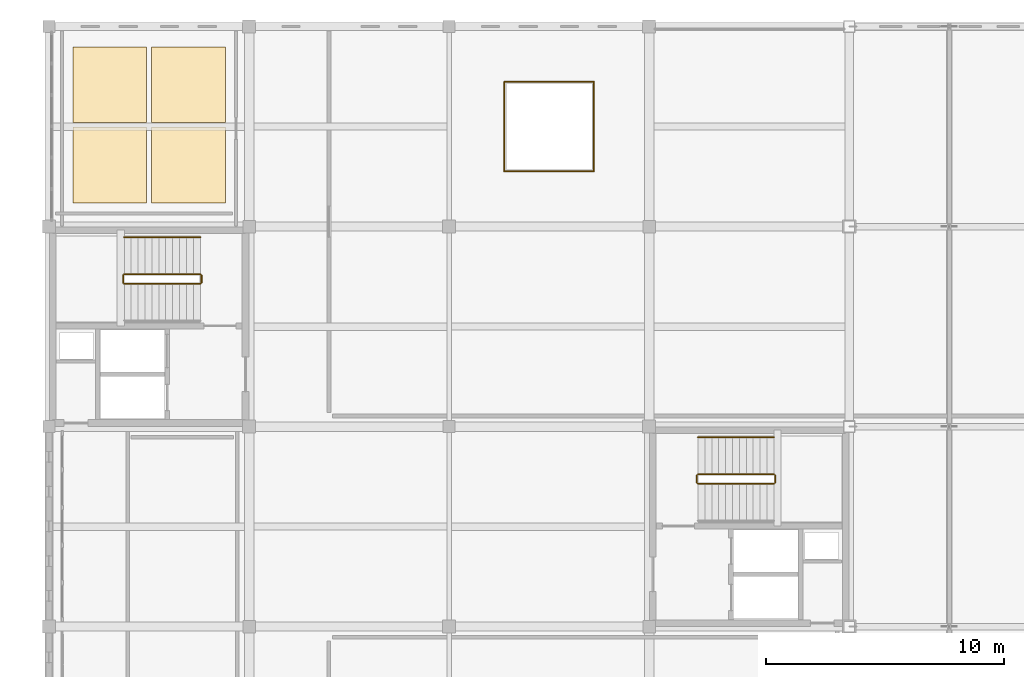
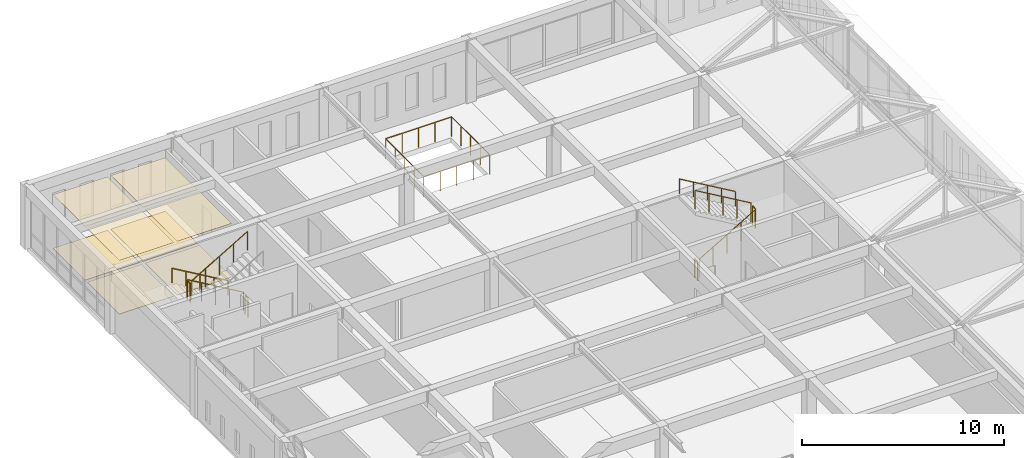
# One storey, part 36 of 36: 14 railings, 8 coverings.
"""IFC4 building model written with IfcOpenShell, lengths in metres."""

from ifc_helpers import new_model, si_unit, direction, frame, origin, origin_2d, place, context, subcontext, project, spatial, rectangle, circle, extrude, material, layer, layer_set, type_object, element, save


model = new_model("IFC4")

# Units and contexts
model_context = context("Model", 3, precision=1e-05, world=origin(), true_north=direction((0.0, 1.0)))
body_context = subcontext(model_context, "Body", "Model", "MODEL_VIEW")
ifc_project = project(units=[si_unit("LENGTHUNIT", "METRE"), si_unit("AREAUNIT", "SQUARE_METRE"), si_unit("VOLUMEUNIT", "CUBIC_METRE"), si_unit("PLANEANGLEUNIT", "RADIAN"), si_unit("MASSUNIT", "GRAM", prefix="KILO")], contexts=[model_context])

# Site, building, storey
site_placement = place(None, origin())
site = spatial("IfcSite", under=ifc_project, at=site_placement, CompositionType="ELEMENT")
building_placement = place(site_placement, origin())
building = spatial("IfcBuilding", under=site, at=building_placement, Name="Kveldsbrygga Polytechnic", CompositionType="ELEMENT")
storey_placement = place(building_placement, frame((0.0, 0.0, 22.10009765625)))
storey = spatial("IfcBuildingStorey", under=building, at=storey_placement, Name="L05", CompositionType="ELEMENT", Elevation=22.10009765625)

# Coverings
ifc_material_1 = material(Name="Gypsum acoustic ceiling")
ifc_layer_1 = layer(ifc_material_1, 0.02001953125)
ifc_layer_set_1 = layer_set([ifc_layer_1], Name="Gypsum acoustic ceiling")
covering_type_1 = type_object("IfcCoveringType", Name="COV-CEIL-GY20", PredefinedType="CEILING", material=ifc_layer_set_1)
for number, where, z_axis, x_axis, name in (
    (1, (128.550048828125, 94.987548828125, 3.239990234375), (0.0, 0.0, 1.0), (1.0, 0.0, 0.0), "Acoustic Ceiling SP-L05-WC1-WS"),
    (2, (128.550048828125, 98.362548828125, 3.239990234375), (0.0, 0.0, 1.0), (1.0, 0.0, 0.0), "Acoustic Ceiling SP-L05-WC1-WN"),
    (3, (131.85009765625, 94.987548828125, 3.239990234375), (0.0, 0.0, 1.0), (1.0, 0.0, 0.0), "Acoustic Ceiling SP-L05-WC1-ES"),
    (4, (131.85009765625, 98.362548828125, 3.239990234375), (0.0, 0.0, 1.0), (1.0, 0.0, 0.0), "Acoustic Ceiling SP-L05-WC1-EN"),
):
    element("IfcCovering", number, at=place(storey_placement, frame(where, z_axis=z_axis, x_axis=x_axis)), inside=storey, type_object=covering_type_1, Name=name, PredefinedType="CEILING", context=body_context, shape_type="SweptSolid", body=[
        extrude(rectangle(XDim=3.10009765625, YDim=3.175048828125, at=origin_2d()), origin(), (0.0, 0.0, 1.0), 0.02001953125),
    ])
ifc_material_2 = material(Name="Iddefjord granite honed paving", Category="masonry")
ifc_layer_2 = layer(ifc_material_2, 0.02490234375)
ifc_layer_set_2 = layer_set([ifc_layer_2], Name="Iddefjord granite honed paving")
covering_type_2 = type_object("IfcCoveringType", Name="COV-FLR-GRN25", PredefinedType="FLOORING", material=ifc_layer_set_2)
for number, where, z_axis, x_axis, name in (
    (5, (128.550048828125, 94.987548828125, 0.0), (0.0, 0.0, 1.0), (1.0, 0.0, 0.0), "Room Flooring SP-L05-WC1-WS"),
    (6, (128.550048828125, 98.362548828125, 0.0), (0.0, 0.0, 1.0), (1.0, 0.0, 0.0), "Room Flooring SP-L05-WC1-WN"),
    (7, (131.85009765625, 94.987548828125, 0.0), (0.0, 0.0, 1.0), (1.0, 0.0, 0.0), "Room Flooring SP-L05-WC1-ES"),
    (8, (131.85009765625, 98.362548828125, 0.0), (0.0, 0.0, 1.0), (1.0, 0.0, 0.0), "Room Flooring SP-L05-WC1-EN"),
):
    element("IfcCovering", number, at=place(storey_placement, frame(where, z_axis=z_axis, x_axis=x_axis)), inside=storey, type_object=covering_type_2, Name=name, PredefinedType="FLOORING", context=body_context, shape_type="SweptSolid", body=[
        extrude(rectangle(XDim=3.10009765625, YDim=3.175048828125, at=origin_2d()), origin(), (0.0, 0.0, 1.0), 0.02490234375),
    ])

# Railings
ifc_material_3 = material(Name="Steel S355", Category="steel")
railing_type_1 = type_object("IfcRailingType", Name="RL-STAIR-GRD", PredefinedType="GUARDRAIL", material=ifc_material_3)
railing_1_placement = place(storey_placement, frame((132.35009765625, 90.39990234375, 0.169921875)))
element("IfcRailing", 9, at=railing_1_placement, inside=storey, type_object=railing_type_1, Name="L05 ST-2 stair guard 1", PredefinedType="GUARDRAIL", context=body_context, shape_type="SweptSolid", body=[
    extrude(circle(Radius=0.02392578125, at=origin_2d()), frame((0.0, 0.0, 1.1259765625), z_axis=(-0.862725780356, 0.0, 0.505672055693), x_axis=(0.0, -1.0, 0.0)), (0.0, 0.0, 1.0), 3.69775390625),
    extrude(circle(Radius=0.02099609375, at=origin_2d()), origin(), (0.0, 0.0, 1.0), 1.097900390625),
    extrude(circle(Radius=0.02099609375, at=origin_2d()), frame((-0.797607421875, 0.0, 0.467529296875)), (0.0, 0.0, 1.0), 1.097900390625),
    extrude(circle(Radius=0.02099609375, at=origin_2d()), frame((-1.59521484375, 0.0, 0.93505859375)), (0.0, 0.0, 1.0), 1.097900390625),
    extrude(circle(Radius=0.02099609375, at=origin_2d()), frame((-2.392578125, 0.0, 1.40234375)), (0.0, 0.0, 1.0), 1.097900390625),
    extrude(circle(Radius=0.02099609375, at=origin_2d()), frame((-3.190185546875, 0.0, 1.869873046875)), (0.0, 0.0, 1.0), 1.097900390625),
])
railing_2_placement = place(storey_placement, frame((129.110107421875, 90.35009765625, 2.039794921875)))
element("IfcRailing", 10, at=railing_2_placement, inside=storey, type_object=railing_type_1, Name="L05 ST-2 stair guard 2", PredefinedType="GUARDRAIL", context=body_context, shape_type="SweptSolid", body=[
    extrude(circle(Radius=0.02392578125, at=origin_2d()), frame((0.0, 0.0, 1.1259765625), z_axis=(0.0, -1.0, 0.0), x_axis=(1.0, 0.0, 0.0)), (0.0, 0.0, 1.0), 0.300048828125),
    extrude(circle(Radius=0.02099609375, at=origin_2d()), origin(), (0.0, 0.0, 1.0), 1.097900390625),
    extrude(circle(Radius=0.02099609375, at=origin_2d()), frame((0.0, -0.300048828125, 0.0)), (0.0, 0.0, 1.0), 1.097900390625),
])
railing_3_placement = place(storey_placement, frame((129.159912109375, 90.0, 2.2099609375)))
element("IfcRailing", 11, at=railing_3_placement, inside=storey, type_object=railing_type_1, Name="L05 ST-2 stair guard 3", PredefinedType="GUARDRAIL", context=body_context, shape_type="SweptSolid", body=[
    extrude(circle(Radius=0.02392578125, at=origin_2d()), frame((0.0, 0.0, 1.1259765625), z_axis=(0.862725780356, 0.0, 0.505672055693), x_axis=(0.0, 1.0, 0.0)), (0.0, 0.0, 1.0), 3.69775390625),
    extrude(circle(Radius=0.02099609375, at=origin_2d()), origin(), (0.0, 0.0, 1.0), 1.097900390625),
    extrude(circle(Radius=0.02099609375, at=origin_2d()), frame((0.797607421875, 0.0, 0.467529296875)), (0.0, 0.0, 1.0), 1.097900390625),
    extrude(circle(Radius=0.02099609375, at=origin_2d()), frame((1.59521484375, 0.0, 0.93505859375)), (0.0, 0.0, 1.0), 1.097900390625),
    extrude(circle(Radius=0.02099609375, at=origin_2d()), frame((2.392578125, 0.0, 1.40234375)), (0.0, 0.0, 1.0), 1.097900390625),
    extrude(circle(Radius=0.02099609375, at=origin_2d()), frame((3.190185546875, 0.0, 1.869873046875)), (0.0, 0.0, 1.0), 1.097900390625),
])
railing_4_placement = place(storey_placement, frame((132.39990234375, 90.35009765625, 0.0)))
element("IfcRailing", 12, at=railing_4_placement, inside=storey, type_object=railing_type_1, Name="L05 ST-2 stair guard 4", PredefinedType="GUARDRAIL", context=body_context, shape_type="SweptSolid", body=[
    extrude(circle(Radius=0.02392578125, at=origin_2d()), frame((0.0, 0.0, 1.1259765625), z_axis=(0.0, -1.0, 0.0), x_axis=(1.0, 0.0, 0.0)), (0.0, 0.0, 1.0), 0.300048828125),
    extrude(circle(Radius=0.02099609375, at=origin_2d()), origin(), (0.0, 0.0, 1.0), 1.097900390625),
    extrude(circle(Radius=0.02099609375, at=origin_2d()), frame((0.0, -0.300048828125, 0.0)), (0.0, 0.0, 1.0), 1.097900390625),
])
railing_5_placement = place(storey_placement, frame((153.25, 81.60009765625, 0.169921875)))
element("IfcRailing", 13, at=railing_5_placement, inside=storey, type_object=railing_type_1, Name="L05 ST-4 stair guard 1", PredefinedType="GUARDRAIL", context=body_context, shape_type="SweptSolid", body=[
    extrude(circle(Radius=0.02392578125, at=origin_2d()), frame((0.0, 0.0, 1.1259765625), z_axis=(0.86270889649, 0.0, 0.505700860111), x_axis=(0.0, 1.0, 0.0)), (0.0, 0.0, 1.0), 3.697509765625),
    extrude(circle(Radius=0.02099609375, at=origin_2d()), origin(), (0.0, 0.0, 1.0), 1.097900390625),
    extrude(circle(Radius=0.02099609375, at=origin_2d()), frame((0.79736328125, 0.0, 0.467529296875)), (0.0, 0.0, 1.0), 1.097900390625),
    extrude(circle(Radius=0.02099609375, at=origin_2d()), frame((1.594970703125, 0.0, 0.93505859375)), (0.0, 0.0, 1.0), 1.097900390625),
    extrude(circle(Radius=0.02099609375, at=origin_2d()), frame((2.392578125, 0.0, 1.40234375)), (0.0, 0.0, 1.0), 1.097900390625),
    extrude(circle(Radius=0.02099609375, at=origin_2d()), frame((3.18994140625, 0.0, 1.869873046875)), (0.0, 0.0, 1.0), 1.097900390625),
])
railing_6_placement = place(storey_placement, frame((156.489990234375, 81.64990234375, 2.039794921875)))
element("IfcRailing", 14, at=railing_6_placement, inside=storey, type_object=railing_type_1, Name="L05 ST-4 stair guard 2", PredefinedType="GUARDRAIL", context=body_context, shape_type="SweptSolid", body=[
    extrude(circle(Radius=0.02392578125, at=origin_2d()), frame((0.0, 0.0, 1.1259765625), z_axis=(0.0, 1.0, 0.0), x_axis=(-1.0, 0.0, 0.0)), (0.0, 0.0, 1.0), 0.300048828125),
    extrude(circle(Radius=0.02099609375, at=origin_2d()), origin(), (0.0, 0.0, 1.0), 1.097900390625),
    extrude(circle(Radius=0.02099609375, at=origin_2d()), frame((0.0, 0.300048828125, 0.0)), (0.0, 0.0, 1.0), 1.097900390625),
])
railing_7_placement = place(storey_placement, frame((156.43994140625, 82.0, 2.2099609375)))
element("IfcRailing", 15, at=railing_7_placement, inside=storey, type_object=railing_type_1, Name="L05 ST-4 stair guard 3", PredefinedType="GUARDRAIL", context=body_context, shape_type="SweptSolid", body=[
    extrude(circle(Radius=0.02392578125, at=origin_2d()), frame((0.0, 0.0, 1.1259765625), z_axis=(-0.86270889649, 0.0, 0.505700860111), x_axis=(0.0, -1.0, 0.0)), (0.0, 0.0, 1.0), 3.697509765625),
    extrude(circle(Radius=0.02099609375, at=origin_2d()), origin(), (0.0, 0.0, 1.0), 1.097900390625),
    extrude(circle(Radius=0.02099609375, at=origin_2d()), frame((-0.79736328125, 0.0, 0.467529296875)), (0.0, 0.0, 1.0), 1.097900390625),
    extrude(circle(Radius=0.02099609375, at=origin_2d()), frame((-1.594970703125, 0.0, 0.93505859375)), (0.0, 0.0, 1.0), 1.097900390625),
    extrude(circle(Radius=0.02099609375, at=origin_2d()), frame((-2.392578125, 0.0, 1.40234375)), (0.0, 0.0, 1.0), 1.097900390625),
    extrude(circle(Radius=0.02099609375, at=origin_2d()), frame((-3.18994140625, 0.0, 1.869873046875)), (0.0, 0.0, 1.0), 1.097900390625),
])
railing_8_placement = place(storey_placement, frame((153.199951171875, 81.64990234375, 0.0)))
element("IfcRailing", 16, at=railing_8_placement, inside=storey, type_object=railing_type_1, Name="L05 ST-4 stair guard 4", PredefinedType="GUARDRAIL", context=body_context, shape_type="SweptSolid", body=[
    extrude(circle(Radius=0.02392578125, at=origin_2d()), frame((0.0, 0.0, 1.1259765625), z_axis=(0.0, 1.0, 0.0), x_axis=(-1.0, 0.0, 0.0)), (0.0, 0.0, 1.0), 0.300048828125),
    extrude(circle(Radius=0.02099609375, at=origin_2d()), origin(), (0.0, 0.0, 1.0), 1.097900390625),
    extrude(circle(Radius=0.02099609375, at=origin_2d()), frame((0.0, 0.300048828125, 0.0)), (0.0, 0.0, 1.0), 1.097900390625),
])
railing_type_2 = type_object("IfcRailingType", Name="RL-STAIR-HND", PredefinedType="HANDRAIL", material=ifc_material_3)
railing_9_placement = place(storey_placement, frame((132.35009765625, 91.949951171875, 0.169921875)))
element("IfcRailing", 17, at=railing_9_placement, inside=storey, type_object=railing_type_2, Name="L05 ST-2 stair handrail 1", PredefinedType="HANDRAIL", context=body_context, shape_type="SweptSolid", body=[
    extrude(circle(Radius=0.02392578125, at=origin_2d()), frame((0.0, 0.0, 0.8759765625), z_axis=(-0.862725780356, 0.0, 0.505672055693), x_axis=(0.0, -1.0, 0.0)), (0.0, 0.0, 1.0), 3.69775390625),
    extrude(circle(Radius=0.02099609375, at=origin_2d()), origin(), (0.0, 0.0, 1.0), 0.847900390625),
    extrude(circle(Radius=0.02099609375, at=origin_2d()), frame((-0.797607421875, 0.0, 0.467529296875)), (0.0, 0.0, 1.0), 0.847900390625),
    extrude(circle(Radius=0.02099609375, at=origin_2d()), frame((-1.59521484375, 0.0, 0.93505859375)), (0.0, 0.0, 1.0), 0.847900390625),
    extrude(circle(Radius=0.02099609375, at=origin_2d()), frame((-2.392578125, 0.0, 1.40234375)), (0.0, 0.0, 1.0), 0.847900390625),
    extrude(circle(Radius=0.02099609375, at=origin_2d()), frame((-3.190185546875, 0.0, 1.869873046875)), (0.0, 0.0, 1.0), 0.847900390625),
])
railing_10_placement = place(storey_placement, frame((156.43994140625, 83.550048828125, 2.2099609375)))
element("IfcRailing", 18, at=railing_10_placement, inside=storey, type_object=railing_type_2, Name="L05 ST-4 stair handrail 2", PredefinedType="HANDRAIL", context=body_context, shape_type="SweptSolid", body=[
    extrude(circle(Radius=0.02392578125, at=origin_2d()), frame((0.0, 0.0, 0.8759765625), z_axis=(-0.86270889649, 0.0, 0.505700860111), x_axis=(0.0, -1.0, 0.0)), (0.0, 0.0, 1.0), 3.697509765625),
    extrude(circle(Radius=0.02099609375, at=origin_2d()), origin(), (0.0, 0.0, 1.0), 0.847900390625),
    extrude(circle(Radius=0.02099609375, at=origin_2d()), frame((-0.79736328125, 0.0, 0.467529296875)), (0.0, 0.0, 1.0), 0.847900390625),
    extrude(circle(Radius=0.02099609375, at=origin_2d()), frame((-1.594970703125, 0.0, 0.93505859375)), (0.0, 0.0, 1.0), 0.847900390625),
    extrude(circle(Radius=0.02099609375, at=origin_2d()), frame((-2.392578125, 0.0, 1.40234375)), (0.0, 0.0, 1.0), 0.847900390625),
    extrude(circle(Radius=0.02099609375, at=origin_2d()), frame((-3.18994140625, 0.0, 1.869873046875)), (0.0, 0.0, 1.0), 0.847900390625),
])
railing_type_3 = type_object("IfcRailingType", Name="RL-VOID-GRD", PredefinedType="GUARDRAIL", material=ifc_material_3)
railing_11_placement = place(storey_placement, frame((145.1201171875, 94.719970703125, 0.0)))
element("IfcRailing", 19, at=railing_11_placement, inside=storey, type_object=railing_type_3, Name="Atrium Well Guard GRD-L05-WELL-11-S", PredefinedType="GUARDRAIL", context=body_context, shape_type="SweptSolid", body=[
    extrude(circle(Radius=0.02392578125, at=origin_2d()), frame((0.0, 0.0, 1.17578125), z_axis=(1.0, 0.0, 0.0), x_axis=(0.0, 1.0, 0.0)), (0.0, 0.0, 1.0), 3.759765625),
    extrude(circle(Radius=0.02099609375, at=origin_2d()), origin(), (0.0, 0.0, 1.0), 1.14794921875),
    extrude(circle(Radius=0.02099609375, at=origin_2d()), frame((0.93994140625, 0.0, 0.0)), (0.0, 0.0, 1.0), 1.14794921875),
    extrude(circle(Radius=0.02099609375, at=origin_2d()), frame((1.8798828125, 0.0, 0.0)), (0.0, 0.0, 1.0), 1.14794921875),
    extrude(circle(Radius=0.02099609375, at=origin_2d()), frame((2.81982421875, 0.0, 0.0)), (0.0, 0.0, 1.0), 1.14794921875),
    extrude(circle(Radius=0.02099609375, at=origin_2d()), frame((3.759765625, 0.0, 0.0)), (0.0, 0.0, 1.0), 1.14794921875),
])
railing_12_placement = place(storey_placement, frame((148.8798828125, 94.719970703125, 0.0)))
element("IfcRailing", 20, at=railing_12_placement, inside=storey, type_object=railing_type_3, Name="Atrium Well Guard GRD-L05-WELL-11-E", PredefinedType="GUARDRAIL", context=body_context, shape_type="SweptSolid", body=[
    extrude(circle(Radius=0.02392578125, at=origin_2d()), frame((0.0, 0.0, 1.17578125), z_axis=(0.0, 1.0, 0.0), x_axis=(-1.0, 0.0, 0.0)), (0.0, 0.0, 1.0), 3.760009765625),
    extrude(circle(Radius=0.02099609375, at=origin_2d()), origin(), (0.0, 0.0, 1.0), 1.14794921875),
    extrude(circle(Radius=0.02099609375, at=origin_2d()), frame((0.0, 0.93994140625, 0.0)), (0.0, 0.0, 1.0), 1.14794921875),
    extrude(circle(Radius=0.02099609375, at=origin_2d()), frame((0.0, 1.8798828125, 0.0)), (0.0, 0.0, 1.0), 1.14794921875),
    extrude(circle(Radius=0.02099609375, at=origin_2d()), frame((0.0, 2.820068359375, 0.0)), (0.0, 0.0, 1.0), 1.14794921875),
    extrude(circle(Radius=0.02099609375, at=origin_2d()), frame((0.0, 3.760009765625, 0.0)), (0.0, 0.0, 1.0), 1.14794921875),
])
railing_13_placement = place(storey_placement, frame((148.8798828125, 98.47998046875, 0.0)))
element("IfcRailing", 21, at=railing_13_placement, inside=storey, type_object=railing_type_3, Name="Atrium Well Guard GRD-L05-WELL-11-N", PredefinedType="GUARDRAIL", context=body_context, shape_type="SweptSolid", body=[
    extrude(circle(Radius=0.02392578125, at=origin_2d()), frame((0.0, 0.0, 1.17578125), z_axis=(-1.0, 0.0, 0.0), x_axis=(0.0, -1.0, 0.0)), (0.0, 0.0, 1.0), 3.759765625),
    extrude(circle(Radius=0.02099609375, at=origin_2d()), origin(), (0.0, 0.0, 1.0), 1.14794921875),
    extrude(circle(Radius=0.02099609375, at=origin_2d()), frame((-0.93994140625, 0.0, 0.0)), (0.0, 0.0, 1.0), 1.14794921875),
    extrude(circle(Radius=0.02099609375, at=origin_2d()), frame((-1.8798828125, 0.0, 0.0)), (0.0, 0.0, 1.0), 1.14794921875),
    extrude(circle(Radius=0.02099609375, at=origin_2d()), frame((-2.81982421875, 0.0, 0.0)), (0.0, 0.0, 1.0), 1.14794921875),
    extrude(circle(Radius=0.02099609375, at=origin_2d()), frame((-3.759765625, 0.0, 0.0)), (0.0, 0.0, 1.0), 1.14794921875),
])
railing_14_placement = place(storey_placement, frame((145.1201171875, 98.47998046875, 0.0)))
element("IfcRailing", 22, at=railing_14_placement, inside=storey, type_object=railing_type_3, Name="Atrium Well Guard GRD-L05-WELL-11-W", PredefinedType="GUARDRAIL", context=body_context, shape_type="SweptSolid", body=[
    extrude(circle(Radius=0.02392578125, at=origin_2d()), frame((0.0, 0.0, 1.17578125), z_axis=(0.0, -1.0, 0.0), x_axis=(1.0, 0.0, 0.0)), (0.0, 0.0, 1.0), 3.760009765625),
    extrude(circle(Radius=0.02099609375, at=origin_2d()), origin(), (0.0, 0.0, 1.0), 1.14794921875),
    extrude(circle(Radius=0.02099609375, at=origin_2d()), frame((0.0, -0.93994140625, 0.0)), (0.0, 0.0, 1.0), 1.14794921875),
    extrude(circle(Radius=0.02099609375, at=origin_2d()), frame((0.0, -1.8798828125, 0.0)), (0.0, 0.0, 1.0), 1.14794921875),
    extrude(circle(Radius=0.02099609375, at=origin_2d()), frame((0.0, -2.820068359375, 0.0)), (0.0, 0.0, 1.0), 1.14794921875),
    extrude(circle(Radius=0.02099609375, at=origin_2d()), frame((0.0, -3.760009765625, 0.0)), (0.0, 0.0, 1.0), 1.14794921875),
])

save(model, "model.ifc")
